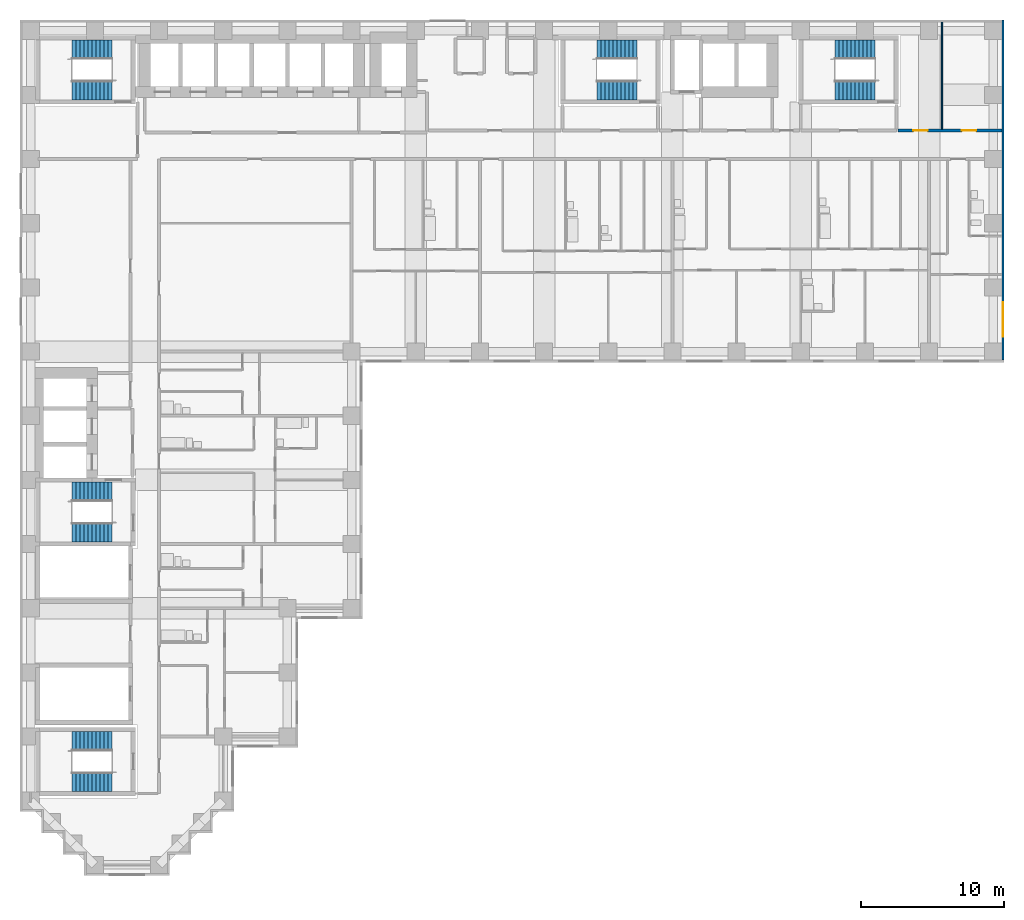
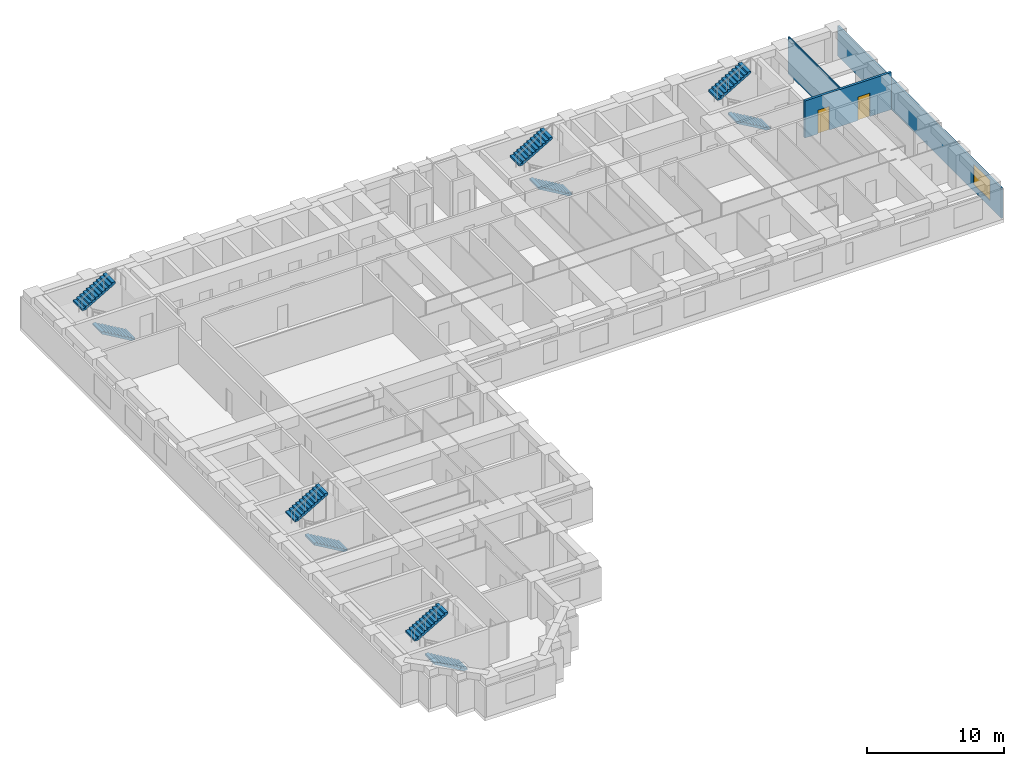
# One storey, part 9 of 11: 10 stair flights, 3 walls, 2 doors, 1 window, 3 openings, 5 elements without a shape of their own.
"""IFC4 building model written with IfcOpenShell, lengths in metres."""

from ifc_helpers import new_model, si_unit, direction, frame, frame_2d, origin, place, context, subcontext, project, spatial, polyline, rectangle, outline, extrude, material, layer, layer_set, type_object, element, fill, aggregate, save


model = new_model("IFC4")

# Units and contexts
model_context = context("Model", 3, precision=1e-05, world=origin(), true_north=direction((0.0, 1.0)))
body_context = subcontext(model_context, "Body", "Model", "MODEL_VIEW")
ifc_project = project(units=[si_unit("LENGTHUNIT", "METRE"), si_unit("AREAUNIT", "SQUARE_METRE"), si_unit("VOLUMEUNIT", "CUBIC_METRE"), si_unit("PLANEANGLEUNIT", "RADIAN"), si_unit("MASSUNIT", "GRAM", prefix="KILO")], contexts=[model_context])

# Site, building, storey
site_placement = place(None, origin())
site = spatial("IfcSite", under=ifc_project, at=site_placement, CompositionType="ELEMENT")
building_placement = place(site_placement, origin())
building = spatial("IfcBuilding", under=site, at=building_placement, Name="Firuza Court", CompositionType="ELEMENT")
storey_placement = place(building_placement, frame((0.0, 0.0, 83.0)))
storey = spatial("IfcBuildingStorey", under=building, at=storey_placement, Name="L20", CompositionType="ELEMENT", Elevation=83.0)

# Wall, openings, doors
ifc_material_1 = material(Name="Blockwork, plastered both sides", Category="masonry")
ifc_layer_1 = layer(ifc_material_1, 0.199951171875)
ifc_layer_set_1 = layer_set([ifc_layer_1], Name="Blockwork, plastered both sides")
wall_type_1 = type_object("IfcWallType", Name="Corridor wall 200", PredefinedType="PARTITIONING", material=ifc_layer_set_1)
wall_1_placement = place(storey_placement, frame((60.800048828125, 51.5, 0.0), z_axis=(0.0, 0.0, 1.0), x_axis=(1.0, 0.0, 0.0)))
wall_1 = element("IfcWall", 1, at=wall_1_placement, inside=storey, type_object=wall_type_1, Name="Corridor wall 200 L20", PredefinedType="PARTITIONING", context=body_context, shape_type="SweptSolid", body=[
    extrude(rectangle(XDim=7.300048828125, YDim=0.199951171875, at=frame_2d((3.64990234375, 0.0))), origin(), (0.0, 0.0, 1.0), 3.300048828125),
])
opening_1_placement = place(wall_1_placement, frame((1.10009765625, 0.0, 0.0)))
opening_1 = element("IfcOpeningElement", 2, at=opening_1_placement, cuts=wall_1, Name="Opening D20076", PredefinedType="OPENING", context=body_context, shape_type="SweptSolid", body=[
    extrude(rectangle(XDim=1.0, YDim=2.10009765625, at=frame_2d((0.5, 1.050048828125))), frame((0.0, 0.11181640625, 0.0), z_axis=(0.0, -1.0, 0.0), x_axis=(1.0, 0.0, 0.0)), (0.0, 0.0, 1.0), 0.223876953125),
])
opening_2_placement = place(wall_1_placement, frame((4.5, 0.0, 0.0)))
opening_2 = element("IfcOpeningElement", 3, at=opening_2_placement, cuts=wall_1, Name="Opening D20077", PredefinedType="OPENING", context=body_context, shape_type="SweptSolid", body=[
    extrude(rectangle(XDim=1.0, YDim=2.10009765625, at=frame_2d((0.5, 1.050048828125))), frame((0.0, 0.11181640625, 0.0), z_axis=(0.0, -1.0, 0.0), x_axis=(1.0, 0.0, 0.0)), (0.0, 0.0, 1.0), 0.223876953125),
])
ifc_material_2 = material(Name="Timber door leaf in hardwood frame", Category="wood")
door_type = type_object("IfcDoorType", Name="Store door 1000", OperationType="SINGLE_SWING_LEFT", PredefinedType="DOOR", material=ifc_material_2)
door_1_placement = place(opening_1_placement, origin())
door_1 = element("IfcDoor", 4, at=door_1_placement, inside=storey, type_object=door_type, Name="Parcel room door", OperationType="SINGLE_SWING_LEFT", OverallHeight=2.10009765625, OverallWidth=1.0, PredefinedType="DOOR", context=body_context, shape_type="SweptSolid", body=[
    extrude(rectangle(XDim=1.0, YDim=2.10009765625, at=frame_2d((0.5, 1.050048828125))), frame((0.0, 0.02490234375, 0.0), z_axis=(0.0, -1.0, 0.0), x_axis=(1.0, 0.0, 0.0)), (0.0, 0.0, 1.0), 0.050048828125),
])
fill(opening_1, door_1)
door_2_placement = place(opening_2_placement, origin())
door_2 = element("IfcDoor", 5, at=door_2_placement, inside=storey, type_object=door_type, Name="Cleaner's store door", OperationType="SINGLE_SWING_LEFT", OverallHeight=2.10009765625, OverallWidth=1.0, PredefinedType="DOOR", context=body_context, shape_type="SweptSolid", body=[
    extrude(rectangle(XDim=1.0, YDim=2.10009765625, at=frame_2d((0.5, 1.050048828125))), frame((0.0, 0.02490234375, 0.0), z_axis=(0.0, -1.0, 0.0), x_axis=(1.0, 0.0, 0.0)), (0.0, 0.0, 1.0), 0.050048828125),
])
fill(opening_2, door_2)

# Wall
ifc_material_3 = material(Name="Timber stud partition, plasterboard both sides", Category="wood")
ifc_layer_2 = layer(ifc_material_3, 0.10009765625)
ifc_layer_set_2 = layer_set([ifc_layer_2], Name="Timber stud partition, plasterboard both sides")
wall_type_2 = type_object("IfcWallType", Name="Partition wall 100", PredefinedType="PARTITIONING", material=ifc_layer_set_2)
wall_2_placement = place(storey_placement, frame((63.89990234375, 51.60009765625, 0.0), z_axis=(0.0, 0.0, 1.0), x_axis=(0.0, 1.0, 0.0)))
element("IfcWall", 6, at=wall_2_placement, inside=storey, type_object=wall_type_2, Name="Partition wall 100 L20", PredefinedType="PARTITIONING", context=body_context, shape_type="SweptSolid", body=[
    extrude(rectangle(XDim=7.5, YDim=0.10009765625, at=frame_2d((3.75, 0.0))), origin(), (0.0, 0.0, 1.0), 3.300048828125),
])

# Wall, opening, window
ifc_material_4 = material(Name="Ceramic tile", Category="ceramic")
ifc_layer_3 = layer(ifc_material_4, 0.02001953125)
ifc_material_5 = material(Name="Mineral wool insulation", Category="insulation")
ifc_layer_4 = layer(ifc_material_5, 0.050048828125)
ifc_material_6 = material(Name="Concrete C40/50 precast", Category="concrete")
ifc_layer_5 = layer(ifc_material_6, 0.080078125)
ifc_layer_set_3 = layer_set([ifc_layer_3, ifc_layer_4, ifc_layer_5], Name="Concrete C40/50 precast")
wall_type_3 = type_object("IfcWallType", Name="Precast cladding wall with turquoise TILE PANEL face 150", PredefinedType="STANDARD", material=ifc_layer_set_3)
wall_3_placement = place(storey_placement, frame((68.175048828125, 35.39990234375, 0.0), z_axis=(0.0, 0.0, 1.0), x_axis=(0.0, 1.0, 0.0)))
wall_3 = element("IfcWall", 7, at=wall_3_placement, inside=storey, type_object=wall_type_3, Name="Facade wall L20 E", PredefinedType="STANDARD", context=body_context, shape_type="SweptSolid", body=[
    extrude(rectangle(XDim=23.85009765625, YDim=0.14990234375, at=frame_2d((11.925048828125, 0.0))), origin(), (0.0, 0.0, 1.0), 2.699951171875),
])
opening_3_placement = place(wall_3_placement, frame((1.64990234375, 0.0, 0.60009765625)))
opening_3 = element("IfcOpeningElement", 8, at=opening_3_placement, cuts=wall_3, Name="Opening W1", PredefinedType="OPENING", context=body_context, shape_type="SweptSolid", body=[
    extrude(rectangle(XDim=2.39990234375, YDim=1.800048828125, at=frame_2d((1.199951171875, 0.89990234375))), frame((0.0, 0.0869140625, 0.0), z_axis=(0.0, -1.0, 0.0), x_axis=(1.0, 0.0, 0.0)), (0.0, 0.0, 1.0), 0.173828125),
])
ifc_material_7 = material(Name="Aluminium frame, triple clear glazing", Category="aluminium")
window_type = type_object("IfcWindowType", Name="Window W1 2400 x 1800", PartitioningType="SINGLE_PANEL", PredefinedType="WINDOW", material=ifc_material_7)
window_placement = place(opening_3_placement, origin())
window = element("IfcWindow", 9, at=window_placement, inside=storey, type_object=window_type, Name="Window L20", OverallHeight=1.800048828125, OverallWidth=2.39990234375, PartitioningType="SINGLE_PANEL", PredefinedType="WINDOW", context=body_context, shape_type="SweptSolid", body=[
    extrude(rectangle(XDim=2.39990234375, YDim=1.800048828125, at=frame_2d((1.199951171875, 0.89990234375))), frame((0.0, 0.030029296875, 0.0), z_axis=(0.0, -1.0, 0.0), x_axis=(1.0, 0.0, 0.0)), (0.0, 0.0, 1.0), 0.06005859375),
])
fill(opening_3, window)

# Stair, stair flights
ifc_material_8 = material(Name="Concrete C40/50 precast", Category="concrete")
stair_type = type_object("IfcStairType", Name="Stair 1350 x 3600 2 flights", PredefinedType="HALF_TURN_STAIR", material=ifc_material_8)
stair_1_placement = place(storey_placement, origin())
stair_1 = element("IfcStair", 10, at=stair_1_placement, inside=storey, type_object=stair_type, Name="Stair 1 L20", PredefinedType="HALF_TURN_STAIR")
ifc_material_9 = material(Name="Concrete C40/50 precast", Category="concrete")
stair_flight_type = type_object("IfcStairFlightType", Name="Flight 1350 riser 163.6", PredefinedType="STRAIGHT", material=ifc_material_9)
stair_flight_1_placement = place(storey_placement, frame((42.5, 54.324951171875, 0.0), z_axis=(0.0, 0.0, 1.0), x_axis=(-1.0, 0.0, 0.0)))
stair_flight_1 = element("IfcStairFlight", 11, at=stair_flight_1_placement, type_object=stair_flight_type, Name="S1 flight 1", NumberOfRisers=11, NumberOfTreads=10, PredefinedType="STRAIGHT", RiserHeight=0.163636364, TreadLength=0.28, context=body_context, shape_type="SweptSolid", body=[
    extrude(outline(polyline([(0.0, 0.0), (0.0, 0.16357421875), (0.280029296875, 0.16357421875), (0.280029296875, 0.327392578125), (0.56005859375, 0.327392578125), (0.56005859375, 0.490966796875), (0.840087890625, 0.490966796875), (0.840087890625, 0.654541015625), (1.1201171875, 0.654541015625), (1.1201171875, 0.818115234375), (1.39990234375, 0.818115234375), (1.39990234375, 0.98193359375), (1.679931640625, 0.98193359375), (1.679931640625, 1.1455078125), (1.9599609375, 1.1455078125), (1.9599609375, 1.30908203125), (2.239990234375, 1.30908203125), (2.239990234375, 1.47265625), (2.52001953125, 1.47265625), (2.52001953125, 1.636474609375), (2.800048828125, 1.636474609375), (2.800048828125, 1.800048828125), (2.800048828125, 1.462646484375), (0.297119140625, 0.0), (0.0, 0.0)])), frame((0.0, 0.675048828125, 0.0), z_axis=(0.0, -1.0, 0.0), x_axis=(1.0, 0.0, 0.0)), (0.0, 0.0, 1.0), 1.35009765625),
])
stair_flight_2_placement = place(storey_placement, frame((39.699951171875, 57.175048828125, 1.800048828125), z_axis=(0.0, 0.0, 1.0), x_axis=(1.0, 0.0, 0.0)))
stair_flight_2 = element("IfcStairFlight", 12, at=stair_flight_2_placement, type_object=stair_flight_type, Name="S1 flight 2", NumberOfRisers=11, NumberOfTreads=10, PredefinedType="STRAIGHT", RiserHeight=0.163636364, TreadLength=0.28, context=body_context, shape_type="SweptSolid", body=[
    extrude(outline(polyline([(0.0, 0.0), (0.0, 0.16357421875), (0.280029296875, 0.16357421875), (0.280029296875, 0.327392578125), (0.56005859375, 0.327392578125), (0.56005859375, 0.490966796875), (0.840087890625, 0.490966796875), (0.840087890625, 0.654541015625), (1.1201171875, 0.654541015625), (1.1201171875, 0.818115234375), (1.39990234375, 0.818115234375), (1.39990234375, 0.98193359375), (1.679931640625, 0.98193359375), (1.679931640625, 1.1455078125), (1.9599609375, 1.1455078125), (1.9599609375, 1.30908203125), (2.239990234375, 1.30908203125), (2.239990234375, 1.47265625), (2.52001953125, 1.47265625), (2.52001953125, 1.636474609375), (2.800048828125, 1.636474609375), (2.800048828125, 1.800048828125), (2.800048828125, 1.462646484375), (0.297119140625, 0.0), (0.0, 0.0)])), frame((0.0, 0.675048828125, 0.0), z_axis=(0.0, -1.0, 0.0), x_axis=(1.0, 0.0, 0.0)), (0.0, 0.0, 1.0), 1.35009765625),
])
aggregate(stair_1, [stair_flight_1, stair_flight_2])

stair_2_placement = place(storey_placement, origin())
stair_2 = element("IfcStair", 13, at=stair_2_placement, inside=storey, type_object=stair_type, Name="Stair 2 L20", PredefinedType="HALF_TURN_STAIR")
stair_flight_3_placement = place(storey_placement, frame((5.699951171875, 23.324951171875, 0.0), z_axis=(0.0, 0.0, 1.0), x_axis=(-1.0, 0.0, 0.0)))
stair_flight_3 = element("IfcStairFlight", 14, at=stair_flight_3_placement, type_object=stair_flight_type, Name="S2 flight 1", NumberOfRisers=11, NumberOfTreads=10, PredefinedType="STRAIGHT", RiserHeight=0.163636364, TreadLength=0.28, context=body_context, shape_type="SweptSolid", body=[
    extrude(outline(polyline([(0.0, 0.0), (0.0, 0.16357421875), (0.280029296875, 0.16357421875), (0.280029296875, 0.327392578125), (0.56005859375, 0.327392578125), (0.56005859375, 0.490966796875), (0.840087890625, 0.490966796875), (0.840087890625, 0.654541015625), (1.1201171875, 0.654541015625), (1.1201171875, 0.818115234375), (1.39990234375, 0.818115234375), (1.39990234375, 0.98193359375), (1.679931640625, 0.98193359375), (1.679931640625, 1.1455078125), (1.9599609375, 1.1455078125), (1.9599609375, 1.30908203125), (2.239990234375, 1.30908203125), (2.239990234375, 1.47265625), (2.52001953125, 1.47265625), (2.52001953125, 1.636474609375), (2.800048828125, 1.636474609375), (2.800048828125, 1.800048828125), (2.800048828125, 1.462646484375), (0.297119140625, 0.0), (0.0, 0.0)])), frame((0.0, 0.675048828125, 0.0), z_axis=(0.0, -1.0, 0.0), x_axis=(1.0, 0.0, 0.0)), (0.0, 0.0, 1.0), 1.35009765625),
])
stair_flight_4_placement = place(storey_placement, frame((2.89990234375, 26.175048828125, 1.800048828125), z_axis=(0.0, 0.0, 1.0), x_axis=(1.0, 0.0, 0.0)))
stair_flight_4 = element("IfcStairFlight", 15, at=stair_flight_4_placement, type_object=stair_flight_type, Name="S2 flight 2", NumberOfRisers=11, NumberOfTreads=10, PredefinedType="STRAIGHT", RiserHeight=0.163636364, TreadLength=0.28, context=body_context, shape_type="SweptSolid", body=[
    extrude(outline(polyline([(0.0, 0.0), (0.0, 0.16357421875), (0.280029296875, 0.16357421875), (0.280029296875, 0.327392578125), (0.56005859375, 0.327392578125), (0.56005859375, 0.490966796875), (0.840087890625, 0.490966796875), (0.840087890625, 0.654541015625), (1.1201171875, 0.654541015625), (1.1201171875, 0.818115234375), (1.39990234375, 0.818115234375), (1.39990234375, 0.98193359375), (1.679931640625, 0.98193359375), (1.679931640625, 1.1455078125), (1.9599609375, 1.1455078125), (1.9599609375, 1.30908203125), (2.239990234375, 1.30908203125), (2.239990234375, 1.47265625), (2.52001953125, 1.47265625), (2.52001953125, 1.636474609375), (2.800048828125, 1.636474609375), (2.800048828125, 1.800048828125), (2.800048828125, 1.462646484375), (0.297119140625, 0.0), (0.0, 0.0)])), frame((0.0, 0.675048828125, 0.0), z_axis=(0.0, -1.0, 0.0), x_axis=(1.0, 0.0, 0.0)), (0.0, 0.0, 1.0), 1.35009765625),
])
aggregate(stair_2, [stair_flight_3, stair_flight_4])

stair_3_placement = place(storey_placement, origin())
stair_3 = element("IfcStair", 16, at=stair_3_placement, inside=storey, type_object=stair_type, Name="Stair 3 L20", PredefinedType="HALF_TURN_STAIR")
stair_flight_5_placement = place(storey_placement, frame((5.699951171875, 54.324951171875, 0.0), z_axis=(0.0, 0.0, 1.0), x_axis=(-1.0, 0.0, 0.0)))
stair_flight_5 = element("IfcStairFlight", 17, at=stair_flight_5_placement, type_object=stair_flight_type, Name="S3 flight 1", NumberOfRisers=11, NumberOfTreads=10, PredefinedType="STRAIGHT", RiserHeight=0.163636364, TreadLength=0.28, context=body_context, shape_type="SweptSolid", body=[
    extrude(outline(polyline([(0.0, 0.0), (0.0, 0.16357421875), (0.280029296875, 0.16357421875), (0.280029296875, 0.327392578125), (0.56005859375, 0.327392578125), (0.56005859375, 0.490966796875), (0.840087890625, 0.490966796875), (0.840087890625, 0.654541015625), (1.1201171875, 0.654541015625), (1.1201171875, 0.818115234375), (1.39990234375, 0.818115234375), (1.39990234375, 0.98193359375), (1.679931640625, 0.98193359375), (1.679931640625, 1.1455078125), (1.9599609375, 1.1455078125), (1.9599609375, 1.30908203125), (2.239990234375, 1.30908203125), (2.239990234375, 1.47265625), (2.52001953125, 1.47265625), (2.52001953125, 1.636474609375), (2.800048828125, 1.636474609375), (2.800048828125, 1.800048828125), (2.800048828125, 1.462646484375), (0.297119140625, 0.0), (0.0, 0.0)])), frame((0.0, 0.675048828125, 0.0), z_axis=(0.0, -1.0, 0.0), x_axis=(1.0, 0.0, 0.0)), (0.0, 0.0, 1.0), 1.35009765625),
])
stair_flight_6_placement = place(storey_placement, frame((2.89990234375, 57.175048828125, 1.800048828125), z_axis=(0.0, 0.0, 1.0), x_axis=(1.0, 0.0, 0.0)))
stair_flight_6 = element("IfcStairFlight", 18, at=stair_flight_6_placement, type_object=stair_flight_type, Name="S3 flight 2", NumberOfRisers=11, NumberOfTreads=10, PredefinedType="STRAIGHT", RiserHeight=0.163636364, TreadLength=0.28, context=body_context, shape_type="SweptSolid", body=[
    extrude(outline(polyline([(0.0, 0.0), (0.0, 0.16357421875), (0.280029296875, 0.16357421875), (0.280029296875, 0.327392578125), (0.56005859375, 0.327392578125), (0.56005859375, 0.490966796875), (0.840087890625, 0.490966796875), (0.840087890625, 0.654541015625), (1.1201171875, 0.654541015625), (1.1201171875, 0.818115234375), (1.39990234375, 0.818115234375), (1.39990234375, 0.98193359375), (1.679931640625, 0.98193359375), (1.679931640625, 1.1455078125), (1.9599609375, 1.1455078125), (1.9599609375, 1.30908203125), (2.239990234375, 1.30908203125), (2.239990234375, 1.47265625), (2.52001953125, 1.47265625), (2.52001953125, 1.636474609375), (2.800048828125, 1.636474609375), (2.800048828125, 1.800048828125), (2.800048828125, 1.462646484375), (0.297119140625, 0.0), (0.0, 0.0)])), frame((0.0, 0.675048828125, 0.0), z_axis=(0.0, -1.0, 0.0), x_axis=(1.0, 0.0, 0.0)), (0.0, 0.0, 1.0), 1.35009765625),
])
aggregate(stair_3, [stair_flight_5, stair_flight_6])

stair_4_placement = place(storey_placement, origin())
stair_4 = element("IfcStair", 19, at=stair_4_placement, inside=storey, type_object=stair_type, Name="Stair 4 L20", PredefinedType="HALF_TURN_STAIR")
stair_flight_7_placement = place(storey_placement, frame((59.199951171875, 54.324951171875, 0.0), z_axis=(0.0, 0.0, 1.0), x_axis=(-1.0, 0.0, 0.0)))
stair_flight_7 = element("IfcStairFlight", 20, at=stair_flight_7_placement, type_object=stair_flight_type, Name="S4 flight 1", NumberOfRisers=11, NumberOfTreads=10, PredefinedType="STRAIGHT", RiserHeight=0.163636364, TreadLength=0.28, context=body_context, shape_type="SweptSolid", body=[
    extrude(outline(polyline([(0.0, 0.0), (0.0, 0.16357421875), (0.280029296875, 0.16357421875), (0.280029296875, 0.327392578125), (0.56005859375, 0.327392578125), (0.56005859375, 0.490966796875), (0.840087890625, 0.490966796875), (0.840087890625, 0.654541015625), (1.1201171875, 0.654541015625), (1.1201171875, 0.818115234375), (1.39990234375, 0.818115234375), (1.39990234375, 0.98193359375), (1.679931640625, 0.98193359375), (1.679931640625, 1.1455078125), (1.9599609375, 1.1455078125), (1.9599609375, 1.30908203125), (2.239990234375, 1.30908203125), (2.239990234375, 1.47265625), (2.52001953125, 1.47265625), (2.52001953125, 1.636474609375), (2.800048828125, 1.636474609375), (2.800048828125, 1.800048828125), (2.800048828125, 1.462646484375), (0.297119140625, 0.0), (0.0, 0.0)])), frame((0.0, 0.675048828125, 0.0), z_axis=(0.0, -1.0, 0.0), x_axis=(1.0, 0.0, 0.0)), (0.0, 0.0, 1.0), 1.35009765625),
])
stair_flight_8_placement = place(storey_placement, frame((56.39990234375, 57.175048828125, 1.800048828125), z_axis=(0.0, 0.0, 1.0), x_axis=(1.0, 0.0, 0.0)))
stair_flight_8 = element("IfcStairFlight", 21, at=stair_flight_8_placement, type_object=stair_flight_type, Name="S4 flight 2", NumberOfRisers=11, NumberOfTreads=10, PredefinedType="STRAIGHT", RiserHeight=0.163636364, TreadLength=0.28, context=body_context, shape_type="SweptSolid", body=[
    extrude(outline(polyline([(0.0, 0.0), (0.0, 0.16357421875), (0.280029296875, 0.16357421875), (0.280029296875, 0.327392578125), (0.56005859375, 0.327392578125), (0.56005859375, 0.490966796875), (0.840087890625, 0.490966796875), (0.840087890625, 0.654541015625), (1.1201171875, 0.654541015625), (1.1201171875, 0.818115234375), (1.39990234375, 0.818115234375), (1.39990234375, 0.98193359375), (1.679931640625, 0.98193359375), (1.679931640625, 1.1455078125), (1.9599609375, 1.1455078125), (1.9599609375, 1.30908203125), (2.239990234375, 1.30908203125), (2.239990234375, 1.47265625), (2.52001953125, 1.47265625), (2.52001953125, 1.636474609375), (2.800048828125, 1.636474609375), (2.800048828125, 1.800048828125), (2.800048828125, 1.462646484375), (0.297119140625, 0.0), (0.0, 0.0)])), frame((0.0, 0.675048828125, 0.0), z_axis=(0.0, -1.0, 0.0), x_axis=(1.0, 0.0, 0.0)), (0.0, 0.0, 1.0), 1.35009765625),
])
aggregate(stair_4, [stair_flight_7, stair_flight_8])

stair_5_placement = place(storey_placement, origin())
stair_5 = element("IfcStair", 22, at=stair_5_placement, inside=storey, type_object=stair_type, Name="Stair 5 L20", PredefinedType="HALF_TURN_STAIR")
stair_flight_9_placement = place(storey_placement, frame((5.699951171875, 5.824951171875, 0.0), z_axis=(0.0, 0.0, 1.0), x_axis=(-1.0, 0.0, 0.0)))
stair_flight_9 = element("IfcStairFlight", 23, at=stair_flight_9_placement, type_object=stair_flight_type, Name="S5 flight 1", NumberOfRisers=11, NumberOfTreads=10, PredefinedType="STRAIGHT", RiserHeight=0.163636364, TreadLength=0.28, context=body_context, shape_type="SweptSolid", body=[
    extrude(outline(polyline([(0.0, 0.0), (0.0, 0.16357421875), (0.280029296875, 0.16357421875), (0.280029296875, 0.327392578125), (0.56005859375, 0.327392578125), (0.56005859375, 0.490966796875), (0.840087890625, 0.490966796875), (0.840087890625, 0.654541015625), (1.1201171875, 0.654541015625), (1.1201171875, 0.818115234375), (1.39990234375, 0.818115234375), (1.39990234375, 0.98193359375), (1.679931640625, 0.98193359375), (1.679931640625, 1.1455078125), (1.9599609375, 1.1455078125), (1.9599609375, 1.30908203125), (2.239990234375, 1.30908203125), (2.239990234375, 1.47265625), (2.52001953125, 1.47265625), (2.52001953125, 1.636474609375), (2.800048828125, 1.636474609375), (2.800048828125, 1.800048828125), (2.800048828125, 1.462646484375), (0.297119140625, 0.0), (0.0, 0.0)])), frame((0.0, 0.675048828125, 0.0), z_axis=(0.0, -1.0, 0.0), x_axis=(1.0, 0.0, 0.0)), (0.0, 0.0, 1.0), 1.35009765625),
])
stair_flight_10_placement = place(storey_placement, frame((2.89990234375, 8.675048828125, 1.800048828125), z_axis=(0.0, 0.0, 1.0), x_axis=(1.0, 0.0, 0.0)))
stair_flight_10 = element("IfcStairFlight", 24, at=stair_flight_10_placement, type_object=stair_flight_type, Name="S5 flight 2", NumberOfRisers=11, NumberOfTreads=10, PredefinedType="STRAIGHT", RiserHeight=0.163636364, TreadLength=0.28, context=body_context, shape_type="SweptSolid", body=[
    extrude(outline(polyline([(0.0, 0.0), (0.0, 0.16357421875), (0.280029296875, 0.16357421875), (0.280029296875, 0.327392578125), (0.56005859375, 0.327392578125), (0.56005859375, 0.490966796875), (0.840087890625, 0.490966796875), (0.840087890625, 0.654541015625), (1.1201171875, 0.654541015625), (1.1201171875, 0.818115234375), (1.39990234375, 0.818115234375), (1.39990234375, 0.98193359375), (1.679931640625, 0.98193359375), (1.679931640625, 1.1455078125), (1.9599609375, 1.1455078125), (1.9599609375, 1.30908203125), (2.239990234375, 1.30908203125), (2.239990234375, 1.47265625), (2.52001953125, 1.47265625), (2.52001953125, 1.636474609375), (2.800048828125, 1.636474609375), (2.800048828125, 1.800048828125), (2.800048828125, 1.462646484375), (0.297119140625, 0.0), (0.0, 0.0)])), frame((0.0, 0.675048828125, 0.0), z_axis=(0.0, -1.0, 0.0), x_axis=(1.0, 0.0, 0.0)), (0.0, 0.0, 1.0), 1.35009765625),
])
aggregate(stair_5, [stair_flight_9, stair_flight_10])

save(model, "model.ifc")
